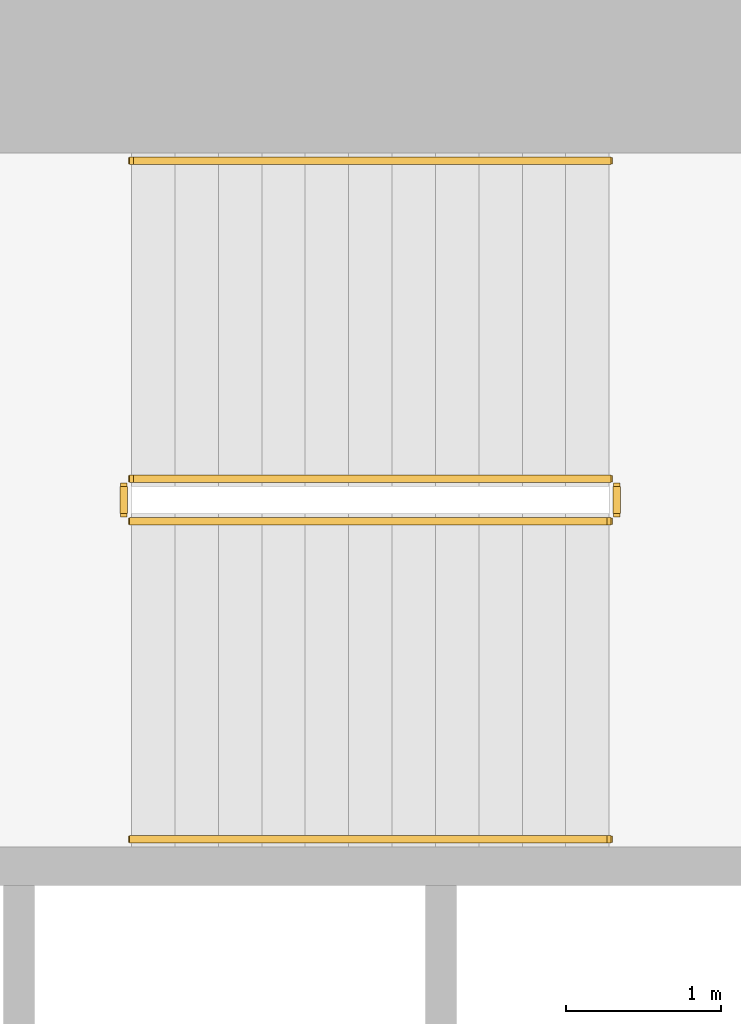
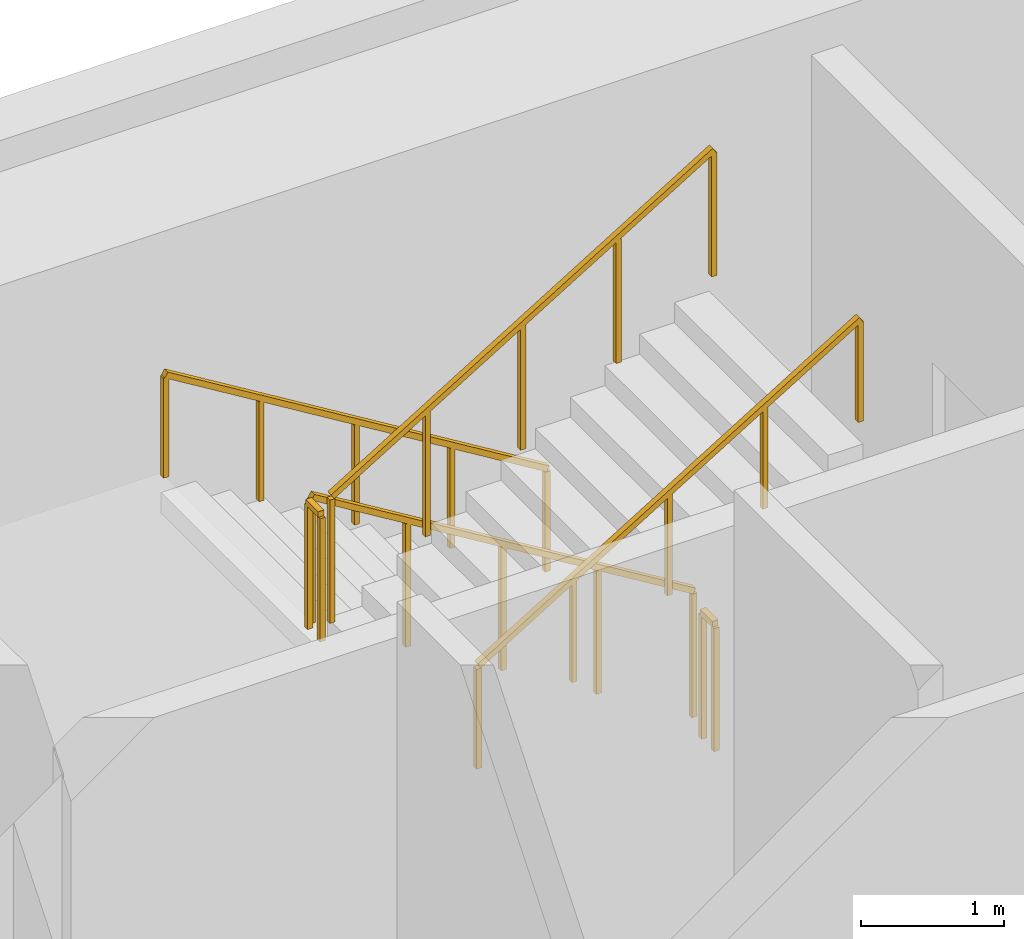
# One storey, part 12 of 13: 6 railings.
"""IFC4 building model written with IfcOpenShell, lengths in metres."""

from ifc_helpers import new_model, si_unit, direction, frame, origin, origin_2d, place, context, subcontext, project, spatial, rectangle, extrude, material, type_object, element, save


model = new_model("IFC4")

# Units and contexts
model_context = context("Model", 3, precision=1e-05, world=origin(), true_north=direction((0.0, 1.0)))
body_context = subcontext(model_context, "Body", "Model", "MODEL_VIEW")
ifc_project = project(units=[si_unit("LENGTHUNIT", "METRE"), si_unit("AREAUNIT", "SQUARE_METRE"), si_unit("VOLUMEUNIT", "CUBIC_METRE"), si_unit("PLANEANGLEUNIT", "RADIAN"), si_unit("MASSUNIT", "GRAM", prefix="KILO")], contexts=[model_context])

# Site, building, storey
site_placement = place(None, origin())
site = spatial("IfcSite", under=ifc_project, at=site_placement, CompositionType="ELEMENT")
building_placement = place(site_placement, origin())
building = spatial("IfcBuilding", under=site, at=building_placement, Name="Cypress Arch Tower", CompositionType="ELEMENT")
storey_placement = place(building_placement, frame((0.0, 0.0, 189.199951171875)))
storey = spatial("IfcBuildingStorey", under=building, at=storey_placement, Name="L41", CompositionType="ELEMENT", Elevation=189.199951171875)

# Railings
ifc_material_1 = material(Name="Black powder-coated steel square bar 48 mm", Category="steel")
railing_type_1 = type_object("IfcRailingType", Name="Stair handrail HR1", PredefinedType="HANDRAIL", material=ifc_material_1)
railing_1_placement = place(storey_placement, frame((-22.27490234375, 14.75, 0.1708984375)))
element("IfcRailing", 1, at=railing_1_placement, inside=storey, type_object=railing_type_1, Name="L41 B stair handrail 1", PredefinedType="HANDRAIL", context=body_context, shape_type="SweptSolid", body=[
    extrude(rectangle(XDim=0.048095703125, YDim=0.048095703125, at=origin_2d()), frame((0.0, 0.0, 0.8759765625), z_axis=(-0.853666305674, 0.0, 0.52082035152), x_axis=(0.0, -1.0, 0.0)), (0.0, 0.0, 1.0), 3.608154296875),
    extrude(rectangle(XDim=0.0419921875, YDim=0.0419921875, at=origin_2d()), origin(), (0.0, 0.0, 1.0), 0.851806640625),
    extrude(rectangle(XDim=0.0419921875, YDim=0.0419921875, at=origin_2d()), frame((-0.77001953125, 0.0, 0.4697265625)), (0.0, 0.0, 1.0), 0.851806640625),
    extrude(rectangle(XDim=0.0419921875, YDim=0.0419921875, at=origin_2d()), frame((-1.5400390625, 0.0, 0.939453125)), (0.0, 0.0, 1.0), 0.851806640625),
    extrude(rectangle(XDim=0.0419921875, YDim=0.0419921875, at=origin_2d()), frame((-2.31005859375, 0.0, 1.409423828125)), (0.0, 0.0, 1.0), 0.851806640625),
    extrude(rectangle(XDim=0.0419921875, YDim=0.0419921875, at=origin_2d()), frame((-3.080078125, 0.0, 1.879150390625)), (0.0, 0.0, 1.0), 0.851806640625),
])
railing_2_placement = place(storey_placement, frame((-25.35498046875, 10.375, 2.220947265625)))
element("IfcRailing", 2, at=railing_2_placement, inside=storey, type_object=railing_type_1, Name="L41 B stair handrail 2", PredefinedType="HANDRAIL", context=body_context, shape_type="SweptSolid", body=[
    extrude(rectangle(XDim=0.048095703125, YDim=0.048095703125, at=origin_2d()), frame((0.0, 0.0, 0.8759765625), z_axis=(0.853666305674, 0.0, 0.52082035152), x_axis=(0.0, 1.0, 0.0)), (0.0, 0.0, 1.0), 3.608154296875),
    extrude(rectangle(XDim=0.0419921875, YDim=0.0419921875, at=origin_2d()), origin(), (0.0, 0.0, 1.0), 0.851806640625),
    extrude(rectangle(XDim=0.0419921875, YDim=0.0419921875, at=origin_2d()), frame((0.77001953125, 0.0, 0.4697265625)), (0.0, 0.0, 1.0), 0.851806640625),
    extrude(rectangle(XDim=0.0419921875, YDim=0.0419921875, at=origin_2d()), frame((1.5400390625, 0.0, 0.939453125)), (0.0, 0.0, 1.0), 0.851806640625),
    extrude(rectangle(XDim=0.0419921875, YDim=0.0419921875, at=origin_2d()), frame((2.31005859375, 0.0, 1.409423828125)), (0.0, 0.0, 1.0), 0.851806640625),
    extrude(rectangle(XDim=0.0419921875, YDim=0.0419921875, at=origin_2d()), frame((3.080078125, 0.0, 1.879150390625)), (0.0, 0.0, 1.0), 0.851806640625),
])
ifc_material_2 = material(Name="Black powder-coated steel balusters", Category="steel")
railing_type_2 = type_object("IfcRailingType", Name="Stair well guard G1", PredefinedType="GUARDRAIL", material=ifc_material_2)
railing_3_placement = place(storey_placement, frame((-22.27490234375, 12.699951171875, 0.1708984375)))
element("IfcRailing", 3, at=railing_3_placement, inside=storey, type_object=railing_type_2, Name="L41 B stair guard 1", PredefinedType="GUARDRAIL", context=body_context, shape_type="SweptSolid", body=[
    extrude(rectangle(XDim=0.048095703125, YDim=0.048095703125, at=origin_2d()), frame((0.0, 0.0, 1.076171875), z_axis=(-0.853666305674, 0.0, 0.52082035152), x_axis=(0.0, -1.0, 0.0)), (0.0, 0.0, 1.0), 3.608154296875),
    extrude(rectangle(XDim=0.0419921875, YDim=0.0419921875, at=origin_2d()), origin(), (0.0, 0.0, 1.0), 1.052001953125),
    extrude(rectangle(XDim=0.0419921875, YDim=0.0419921875, at=origin_2d()), frame((-0.77001953125, 0.0, 0.4697265625)), (0.0, 0.0, 1.0), 1.052001953125),
    extrude(rectangle(XDim=0.0419921875, YDim=0.0419921875, at=origin_2d()), frame((-1.5400390625, 0.0, 0.939453125)), (0.0, 0.0, 1.0), 1.052001953125),
    extrude(rectangle(XDim=0.0419921875, YDim=0.0419921875, at=origin_2d()), frame((-2.31005859375, 0.0, 1.409423828125)), (0.0, 0.0, 1.0), 1.052001953125),
    extrude(rectangle(XDim=0.0419921875, YDim=0.0419921875, at=origin_2d()), frame((-3.080078125, 0.0, 1.879150390625)), (0.0, 0.0, 1.0), 1.052001953125),
])
railing_4_placement = place(storey_placement, frame((-25.405029296875, 12.64990234375, 2.050048828125)))
element("IfcRailing", 4, at=railing_4_placement, inside=storey, type_object=railing_type_2, Name="L41 B stair guard 2", PredefinedType="GUARDRAIL", context=body_context, shape_type="SweptSolid", body=[
    extrude(rectangle(XDim=0.048095703125, YDim=0.048095703125, at=origin_2d()), frame((0.0, 0.0, 1.076171875), z_axis=(0.0, -1.0, 0.0), x_axis=(1.0, 0.0, 0.0)), (0.0, 0.0, 1.0), 0.1748046875),
    extrude(rectangle(XDim=0.0419921875, YDim=0.0419921875, at=origin_2d()), origin(), (0.0, 0.0, 1.0), 1.052001953125),
    extrude(rectangle(XDim=0.0419921875, YDim=0.0419921875, at=origin_2d()), frame((0.0, -0.1748046875, 0.0)), (0.0, 0.0, 1.0), 1.052001953125),
])
railing_5_placement = place(storey_placement, frame((-25.35498046875, 12.425048828125, 2.220947265625)))
element("IfcRailing", 5, at=railing_5_placement, inside=storey, type_object=railing_type_2, Name="L41 B stair guard 3", PredefinedType="GUARDRAIL", context=body_context, shape_type="SweptSolid", body=[
    extrude(rectangle(XDim=0.048095703125, YDim=0.048095703125, at=origin_2d()), frame((0.0, 0.0, 1.076171875), z_axis=(0.853666305674, 0.0, 0.52082035152), x_axis=(0.0, 1.0, 0.0)), (0.0, 0.0, 1.0), 3.608154296875),
    extrude(rectangle(XDim=0.0419921875, YDim=0.0419921875, at=origin_2d()), origin(), (0.0, 0.0, 1.0), 1.052001953125),
    extrude(rectangle(XDim=0.0419921875, YDim=0.0419921875, at=origin_2d()), frame((0.77001953125, 0.0, 0.4697265625)), (0.0, 0.0, 1.0), 1.052001953125),
    extrude(rectangle(XDim=0.0419921875, YDim=0.0419921875, at=origin_2d()), frame((1.5400390625, 0.0, 0.939453125)), (0.0, 0.0, 1.0), 1.052001953125),
    extrude(rectangle(XDim=0.0419921875, YDim=0.0419921875, at=origin_2d()), frame((2.31005859375, 0.0, 1.409423828125)), (0.0, 0.0, 1.0), 1.052001953125),
    extrude(rectangle(XDim=0.0419921875, YDim=0.0419921875, at=origin_2d()), frame((3.080078125, 0.0, 1.879150390625)), (0.0, 0.0, 1.0), 1.052001953125),
])
railing_6_placement = place(storey_placement, frame((-22.22509765625, 12.64990234375, 0.0)))
element("IfcRailing", 6, at=railing_6_placement, inside=storey, type_object=railing_type_2, Name="L41 B stair guard 4", PredefinedType="GUARDRAIL", context=body_context, shape_type="SweptSolid", body=[
    extrude(rectangle(XDim=0.048095703125, YDim=0.048095703125, at=origin_2d()), frame((0.0, 0.0, 1.076171875), z_axis=(0.0, -1.0, 0.0), x_axis=(1.0, 0.0, 0.0)), (0.0, 0.0, 1.0), 0.1748046875),
    extrude(rectangle(XDim=0.0419921875, YDim=0.0419921875, at=origin_2d()), origin(), (0.0, 0.0, 1.0), 1.052001953125),
    extrude(rectangle(XDim=0.0419921875, YDim=0.0419921875, at=origin_2d()), frame((0.0, -0.1748046875, 0.0)), (0.0, 0.0, 1.0), 1.052001953125),
])

save(model, "model.ifc")
